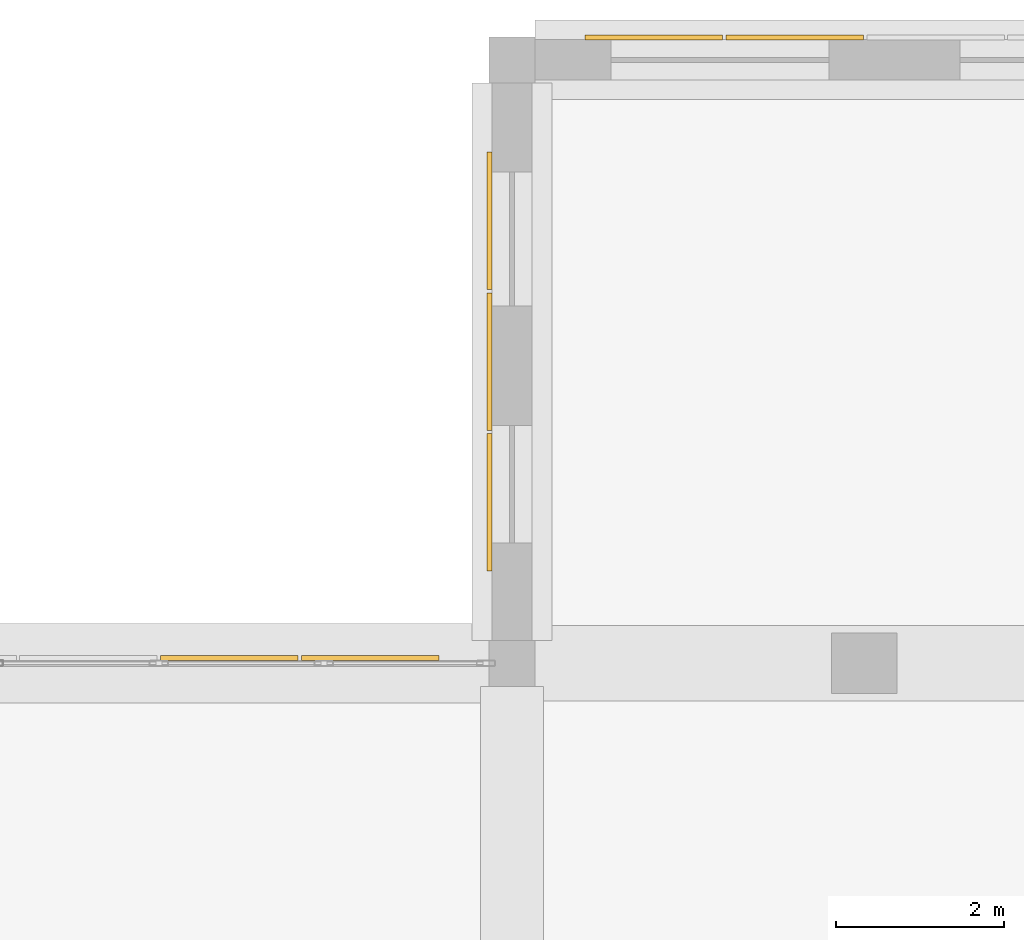
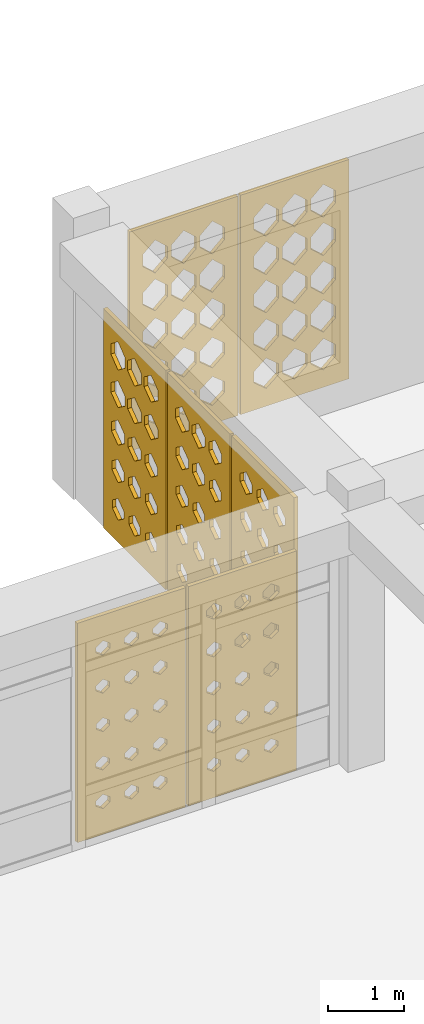
# One storey, part 109 of 121: 7 coverings.
"""IFC4 building model written with IfcOpenShell, lengths in metres."""

from ifc_helpers import new_model, si_unit, derived_unit, direction, frame, origin, place, context, subcontext, project, spatial, polyline, outline, extrude, material, layer, layer_set, type_object, element, save


model = new_model("IFC4")

# Units and contexts
model_context = context("Model", 3, precision=1e-05, world=origin(), true_north=direction((0.0, 1.0)))
body_context = subcontext(model_context, "Body", "Model", "MODEL_VIEW")
ifc_project = project(units=[si_unit("LENGTHUNIT", "METRE"), si_unit("AREAUNIT", "SQUARE_METRE"), si_unit("VOLUMEUNIT", "CUBIC_METRE"), si_unit("PLANEANGLEUNIT", "RADIAN"), si_unit("MASSUNIT", "GRAM", prefix="KILO"), derived_unit("THERMALTRANSMITTANCEUNIT", [(si_unit("POWERUNIT", "WATT"), 1), (si_unit("LENGTHUNIT", "METRE"), -2), (si_unit("THERMODYNAMICTEMPERATUREUNIT", "KELVIN"), -1)])], contexts=[model_context])

# Site, building, storey
site_placement = place(None, origin())
site = spatial("IfcSite", under=ifc_project, at=site_placement, CompositionType="ELEMENT")
building_placement = place(site_placement, origin())
building = spatial("IfcBuilding", under=site, at=building_placement, Name="Veybourne Emporium", CompositionType="ELEMENT")
storey_placement = place(building_placement, frame((0.0, 0.0, 5.39990234375)))
storey = spatial("IfcBuildingStorey", under=building, at=storey_placement, Name="L01", CompositionType="ELEMENT", Elevation=5.39990234375)

# Coverings
ifc_material = material(Name="Warm-White Perforated Aluminium Screen Alloy", Category="aluminium")
ifc_layer_1 = layer(ifc_material, 0.06005859375)
ifc_layer_set_1 = layer_set([ifc_layer_1], Name="Warm-White Perforated Aluminium Screen Alloy")
covering_type_1 = type_object("IfcCoveringType", Name="WaveScreen_SCR-01", PredefinedType="CLADDING", material=ifc_layer_set_1)
covering_1_placement = place(storey_placement, frame((48.70751953125, 108.093994140625, 1.815185546875), z_axis=(0.0, -1.0, 0.0), x_axis=(1.0, 0.0, 0.0)))
element("IfcCovering", 1, at=covering_1_placement, inside=storey, type_object=covering_type_1, Name="L01 wave-perforated aluminium screen SCR-01 (27C.4)", PredefinedType="CLADDING", context=body_context, shape_type="SweptSolid", body=[
    extrude(outline(polyline([(-0.81982421875, -1.7548828125), (0.81982421875, -1.7548828125), (0.81982421875, 1.7548828125), (-0.81982421875, 1.7548828125), (-0.81982421875, -1.7548828125)]), holes=[polyline([(-0.433349609375, -1.117919921875), (-0.333251953125, -1.1884765625), (-0.333251953125, -1.267578125), (-0.433349609375, -1.337890625), (-0.533447265625, -1.267578125), (-0.533447265625, -1.1884765625), (-0.433349609375, -1.117919921875)]), polyline([(-0.433349609375, -0.503173828125), (-0.33251953125, -0.57421875), (-0.33251953125, -0.65380859375), (-0.433349609375, -0.724853515625), (-0.533935546875, -0.65380859375), (-0.533935546875, -0.57421875), (-0.433349609375, -0.503173828125)]), polyline([(-0.433349609375, 0.114013671875), (-0.330078125, 0.041015625), (-0.330078125, -0.041015625), (-0.433349609375, -0.114013671875), (-0.53662109375, -0.041015625), (-0.53662109375, 0.041015625), (-0.433349609375, 0.114013671875)]), polyline([(-0.433349609375, 0.733642578125), (-0.325439453125, 0.656982421875), (-0.325439453125, 0.57080078125), (-0.433349609375, 0.494384765625), (-0.541259765625, 0.57080078125), (-0.541259765625, 0.656982421875), (-0.433349609375, 0.733642578125)]), polyline([(-0.433349609375, 1.355224609375), (-0.319091796875, 1.273681640625), (-0.319091796875, 1.18212890625), (-0.433349609375, 1.1005859375), (-0.547607421875, 1.18212890625), (-0.547607421875, 1.273681640625), (-0.433349609375, 1.355224609375)]), polyline([(0.0, -1.117919921875), (0.10009765625, -1.1884765625), (0.10009765625, -1.267578125), (0.0, -1.338134765625), (-0.10009765625, -1.267578125), (-0.10009765625, -1.1884765625), (0.0, -1.117919921875)]), polyline([(0.0, -0.501953125), (0.101806640625, -0.57373046875), (0.101806640625, -0.654296875), (0.0, -0.72607421875), (-0.101806640625, -0.654296875), (-0.101806640625, -0.57373046875), (0.0, -0.501953125)]), polyline([(0.0, 0.1162109375), (0.105224609375, 0.0419921875), (0.105224609375, -0.0419921875), (0.0, -0.1162109375), (-0.105224609375, -0.0419921875), (-0.105224609375, 0.0419921875), (0.0, 0.1162109375)]), polyline([(0.0, 0.73681640625), (0.110595703125, 0.658203125), (0.110595703125, 0.56982421875), (0.0, 0.4912109375), (-0.110595703125, 0.56982421875), (-0.110595703125, 0.658203125), (0.0, 0.73681640625)]), polyline([(0.0, 1.359619140625), (0.11767578125, 1.275390625), (0.11767578125, 1.1806640625), (0.0, 1.096435546875), (-0.11767578125, 1.1806640625), (-0.11767578125, 1.275390625), (0.0, 1.359619140625)]), polyline([(0.433349609375, -1.1171875), (0.533935546875, -1.188232421875), (0.533935546875, -1.267822265625), (0.433349609375, -1.338623046875), (0.332763671875, -1.267822265625), (0.332763671875, -1.188232421875), (0.433349609375, -1.1171875)]), polyline([(0.433349609375, -0.500244140625), (0.536376953125, -0.572998046875), (0.536376953125, -0.65478515625), (0.433349609375, -0.727783203125), (0.330322265625, -0.65478515625), (0.330322265625, -0.572998046875), (0.433349609375, -0.500244140625)]), polyline([(0.433349609375, 0.118896484375), (0.540771484375, 0.042724609375), (0.540771484375, -0.042724609375), (0.433349609375, -0.118896484375), (0.325927734375, -0.042724609375), (0.325927734375, 0.042724609375), (0.433349609375, 0.118896484375)]), polyline([(0.433349609375, 0.740478515625), (0.546875, 0.659423828125), (0.546875, 0.568603515625), (0.433349609375, 0.487548828125), (0.31982421875, 0.568603515625), (0.31982421875, 0.659423828125), (0.433349609375, 0.740478515625)]), polyline([(0.433349609375, 1.364013671875), (0.5546875, 1.27685546875), (0.5546875, 1.17919921875), (0.433349609375, 1.092041015625), (0.31201171875, 1.17919921875), (0.31201171875, 1.27685546875), (0.433349609375, 1.364013671875)])]), origin(), (0.0, 0.0, 1.0), 0.06005859375),
])
covering_2_placement = place(storey_placement, frame((50.10205078125, 113.280029296875, 1.815185546875), z_axis=(1.0, 0.0, 0.0), x_axis=(0.0, 1.0, 0.0)))
element("IfcCovering", 2, at=covering_2_placement, inside=storey, type_object=covering_type_1, Name="L01 wave-perforated aluminium screen SCR-01 (32.3)", PredefinedType="CLADDING", context=body_context, shape_type="SweptSolid", body=[
    extrude(outline(polyline([(-0.81982421875, -1.7548828125), (0.81982421875, -1.7548828125), (0.81982421875, 1.7548828125), (-0.81982421875, 1.7548828125), (-0.81982421875, -1.7548828125)]), holes=[polyline([(-0.433349609375, -1.06787109375), (-0.292236328125, -1.17041015625), (-0.292236328125, -1.28564453125), (-0.433349609375, -1.38818359375), (-0.57421875, -1.28564453125), (-0.57421875, -1.17041015625), (-0.433349609375, -1.06787109375)]), polyline([(-0.433349609375, -0.4404296875), (-0.28125, -0.551513671875), (-0.28125, -0.676513671875), (-0.433349609375, -0.78759765625), (-0.585205078125, -0.676513671875), (-0.585205078125, -0.551513671875), (-0.433349609375, -0.4404296875)]), polyline([(-0.433349609375, 0.1875), (-0.27001953125, 0.0673828125), (-0.27001953125, -0.0673828125), (-0.433349609375, -0.1875), (-0.5966796875, -0.0673828125), (-0.5966796875, 0.0673828125), (-0.433349609375, 0.1875)]), polyline([(-0.433349609375, 0.815673828125), (-0.25830078125, 0.6865234375), (-0.25830078125, 0.54150390625), (-0.433349609375, 0.412353515625), (-0.6083984375, 0.54150390625), (-0.6083984375, 0.6865234375), (-0.433349609375, 0.815673828125)]), polyline([(-0.433349609375, 1.443603515625), (-0.2470703125, 1.3056640625), (-0.2470703125, 1.150390625), (-0.433349609375, 1.012451171875), (-0.61962890625, 1.150390625), (-0.61962890625, 1.3056640625), (-0.433349609375, 1.443603515625)]), polyline([(0.0, -1.06201171875), (0.14599609375, -1.168212890625), (0.14599609375, -1.287841796875), (0.0, -1.39404296875), (-0.14599609375, -1.287841796875), (-0.14599609375, -1.168212890625), (0.0, -1.06201171875)]), polyline([(0.0, -0.43408203125), (0.1572265625, -0.54931640625), (0.1572265625, -0.6787109375), (0.0, -0.7939453125), (-0.1572265625, -0.6787109375), (-0.1572265625, -0.54931640625), (0.0, -0.43408203125)]), polyline([(0.0, 0.194091796875), (0.168701171875, 0.06982421875), (0.168701171875, -0.06982421875), (0.0, -0.194091796875), (-0.168701171875, -0.06982421875), (-0.168701171875, 0.06982421875), (0.0, 0.194091796875)]), polyline([(0.0, 0.822021484375), (0.180419921875, 0.68896484375), (0.180419921875, 0.5390625), (0.0, 0.406005859375), (-0.180419921875, 0.5390625), (-0.180419921875, 0.68896484375), (0.0, 0.822021484375)]), polyline([(0.0, 1.44970703125), (0.186279296875, 1.307861328125), (0.186279296875, 1.148193359375), (0.0, 1.00634765625), (-0.186279296875, 1.148193359375), (-0.186279296875, 1.307861328125), (0.0, 1.44970703125)]), polyline([(0.433349609375, -1.0556640625), (0.584228515625, -1.166015625), (0.584228515625, -1.2900390625), (0.433349609375, -1.400390625), (0.282470703125, -1.2900390625), (0.282470703125, -1.166015625), (0.433349609375, -1.0556640625)]), polyline([(0.433349609375, -0.427734375), (0.595703125, -0.546875), (0.595703125, -0.68115234375), (0.433349609375, -0.80029296875), (0.27099609375, -0.68115234375), (0.27099609375, -0.546875), (0.433349609375, -0.427734375)]), polyline([(0.433349609375, 0.200439453125), (0.607421875, 0.072265625), (0.607421875, -0.072265625), (0.433349609375, -0.200439453125), (0.25927734375, -0.072265625), (0.25927734375, 0.072265625), (0.433349609375, 0.200439453125)]), polyline([(0.433349609375, 0.828369140625), (0.61865234375, 0.691162109375), (0.61865234375, 0.536865234375), (0.433349609375, 0.399658203125), (0.247802734375, 0.536865234375), (0.247802734375, 0.691162109375), (0.433349609375, 0.828369140625)]), polyline([(0.433349609375, 1.455810546875), (0.61962890625, 1.31005859375), (0.61962890625, 1.14599609375), (0.433349609375, 1.000244140625), (0.2470703125, 1.14599609375), (0.2470703125, 1.31005859375), (0.433349609375, 1.455810546875)])]), origin(), (0.0, 0.0, 1.0), 0.06005859375),
])
ifc_layer_2 = layer(ifc_material, 0.06005859375)
ifc_layer_set_2 = layer_set([ifc_layer_2], Name="Warm-White Perforated Aluminium Screen Alloy")
covering_type_2 = type_object("IfcCoveringType", Name="WaveScreen_SCR-02", PredefinedType="CLADDING", material=ifc_layer_set_2)
covering_3_placement = place(storey_placement, frame((52.092529296875, 115.498046875, 1.815185546875), z_axis=(0.0, -1.0, 0.0), x_axis=(1.0, 0.0, 0.0)))
element("IfcCovering", 3, at=covering_3_placement, inside=storey, type_object=covering_type_2, Name="L01 wave-perforated aluminium screen SCR-02 (31.1)", PredefinedType="CLADDING", context=body_context, shape_type="SweptSolid", body=[
    extrude(outline(polyline([(-0.81982421875, -1.7548828125), (0.81982421875, -1.7548828125), (0.81982421875, 1.7548828125), (-0.81982421875, 1.7548828125), (-0.81982421875, -1.7548828125)]), holes=[polyline([(-0.433349609375, -1.0078125), (-0.2470703125, -1.148681640625), (-0.2470703125, -1.307373046875), (-0.433349609375, -1.4482421875), (-0.61962890625, -1.307373046875), (-0.61962890625, -1.148681640625), (-0.433349609375, -1.0078125)]), polyline([(-0.433349609375, -0.380859375), (-0.2470703125, -0.530029296875), (-0.2470703125, -0.697998046875), (-0.433349609375, -0.84716796875), (-0.61962890625, -0.697998046875), (-0.61962890625, -0.530029296875), (-0.433349609375, -0.380859375)]), polyline([(-0.433349609375, 0.244873046875), (-0.2470703125, 0.088134765625), (-0.2470703125, -0.088134765625), (-0.433349609375, -0.244873046875), (-0.61962890625, -0.088134765625), (-0.61962890625, 0.088134765625), (-0.433349609375, 0.244873046875)]), polyline([(-0.433349609375, 0.868896484375), (-0.2470703125, 0.705810546875), (-0.2470703125, 0.522216796875), (-0.433349609375, 0.35888671875), (-0.61962890625, 0.522216796875), (-0.61962890625, 0.705810546875), (-0.433349609375, 0.868896484375)]), polyline([(-0.433349609375, 1.4912109375), (-0.2470703125, 1.32275390625), (-0.2470703125, 1.13330078125), (-0.433349609375, 0.964599609375), (-0.61962890625, 1.13330078125), (-0.61962890625, 1.32275390625), (-0.433349609375, 1.4912109375)]), polyline([(0.0, -1.001708984375), (0.186279296875, -1.146484375), (0.186279296875, -1.309326171875), (0.0, -1.4541015625), (-0.186279296875, -1.309326171875), (-0.186279296875, -1.146484375), (0.0, -1.001708984375)]), polyline([(0.0, -0.37548828125), (0.186279296875, -0.528076171875), (0.186279296875, -0.699951171875), (0.0, -0.8525390625), (-0.186279296875, -0.699951171875), (-0.186279296875, -0.528076171875), (0.0, -0.37548828125)]), polyline([(0.0, 0.24951171875), (0.186279296875, 0.08984375), (0.186279296875, -0.08984375), (0.0, -0.24951171875), (-0.186279296875, -0.08984375), (-0.186279296875, 0.08984375), (0.0, 0.24951171875)]), polyline([(0.0, 0.873046875), (0.186279296875, 0.707275390625), (0.186279296875, 0.520751953125), (0.0, 0.35498046875), (-0.186279296875, 0.520751953125), (-0.186279296875, 0.707275390625), (0.0, 0.873046875)]), polyline([(0.0, 1.491943359375), (0.186279296875, 1.322998046875), (0.186279296875, 1.133056640625), (0.0, 0.964111328125), (-0.186279296875, 1.133056640625), (-0.186279296875, 1.322998046875), (0.0, 1.491943359375)]), polyline([(0.433349609375, -0.99609375), (0.61962890625, -1.14453125), (0.61962890625, -1.3115234375), (0.433349609375, -1.4599609375), (0.2470703125, -1.3115234375), (0.2470703125, -1.14453125), (0.433349609375, -0.99609375)]), polyline([(0.433349609375, -0.3701171875), (0.61962890625, -0.526123046875), (0.61962890625, -0.701904296875), (0.433349609375, -0.85791015625), (0.2470703125, -0.701904296875), (0.2470703125, -0.526123046875), (0.433349609375, -0.3701171875)]), polyline([(0.433349609375, 0.254150390625), (0.61962890625, 0.091552734375), (0.61962890625, -0.091552734375), (0.433349609375, -0.254150390625), (0.2470703125, -0.091552734375), (0.2470703125, 0.091552734375), (0.433349609375, 0.254150390625)]), polyline([(0.433349609375, 0.876708984375), (0.61962890625, 0.70849609375), (0.61962890625, 0.51953125), (0.433349609375, 0.351318359375), (0.2470703125, 0.51953125), (0.2470703125, 0.70849609375), (0.433349609375, 0.876708984375)]), polyline([(0.433349609375, 1.491943359375), (0.61962890625, 1.322998046875), (0.61962890625, 1.133056640625), (0.433349609375, 0.964111328125), (0.2470703125, 1.133056640625), (0.2470703125, 1.322998046875), (0.433349609375, 1.491943359375)])]), origin(), (0.0, 0.0, 1.0), 0.06005859375),
])
ifc_layer_3 = layer(ifc_material, 0.06005859375)
ifc_layer_set_3 = layer_set([ifc_layer_3], Name="Warm-White Perforated Aluminium Screen Alloy")
covering_type_3 = type_object("IfcCoveringType", Name="WaveScreen_SCR-03", PredefinedType="CLADDING", material=ifc_layer_set_3)
covering_4_placement = place(storey_placement, frame((53.7724609375, 115.498046875, 1.815185546875), z_axis=(0.0, -1.0, 0.0), x_axis=(1.0, 0.0, 0.0)))
element("IfcCovering", 4, at=covering_4_placement, inside=storey, type_object=covering_type_3, Name="L01 wave-perforated aluminium screen SCR-03 (31.2)", PredefinedType="CLADDING", context=body_context, shape_type="SweptSolid", body=[
    extrude(outline(polyline([(-0.81982421875, -1.7548828125), (0.81982421875, -1.7548828125), (0.81982421875, 1.7548828125), (-0.81982421875, 1.7548828125), (-0.81982421875, -1.7548828125)]), holes=[polyline([(-0.433349609375, -0.98583984375), (-0.2470703125, -1.140869140625), (-0.2470703125, -1.315185546875), (-0.433349609375, -1.47021484375), (-0.61962890625, -1.315185546875), (-0.61962890625, -1.140869140625), (-0.433349609375, -0.98583984375)]), polyline([(-0.433349609375, -0.361328125), (-0.2470703125, -0.52294921875), (-0.2470703125, -0.705078125), (-0.433349609375, -0.86669921875), (-0.61962890625, -0.705078125), (-0.61962890625, -0.52294921875), (-0.433349609375, -0.361328125)]), polyline([(-0.433349609375, 0.261474609375), (-0.2470703125, 0.093994140625), (-0.2470703125, -0.093994140625), (-0.433349609375, -0.261474609375), (-0.61962890625, -0.093994140625), (-0.61962890625, 0.093994140625), (-0.433349609375, 0.261474609375)]), polyline([(-0.433349609375, 0.8779296875), (-0.2470703125, 0.708984375), (-0.2470703125, 0.51904296875), (-0.433349609375, 0.35009765625), (-0.61962890625, 0.51904296875), (-0.61962890625, 0.708984375), (-0.433349609375, 0.8779296875)]), polyline([(-0.433349609375, 1.491943359375), (-0.2470703125, 1.322998046875), (-0.2470703125, 1.133056640625), (-0.433349609375, 0.964111328125), (-0.61962890625, 1.133056640625), (-0.61962890625, 1.322998046875), (-0.433349609375, 1.491943359375)]), polyline([(0.0, -0.98095703125), (0.186279296875, -1.138916015625), (0.186279296875, -1.31689453125), (0.0, -1.47509765625), (-0.186279296875, -1.31689453125), (-0.186279296875, -1.138916015625), (0.0, -0.98095703125)]), polyline([(0.0, -0.357177734375), (0.186279296875, -0.521484375), (0.186279296875, -0.70654296875), (0.0, -0.870849609375), (-0.186279296875, -0.70654296875), (-0.186279296875, -0.521484375), (0.0, -0.357177734375)]), polyline([(0.0, 0.263916015625), (0.186279296875, 0.094970703125), (0.186279296875, -0.094970703125), (0.0, -0.263916015625), (-0.186279296875, -0.094970703125), (-0.186279296875, 0.094970703125), (0.0, 0.263916015625)]), polyline([(0.0, 0.8779296875), (0.186279296875, 0.708984375), (0.186279296875, 0.51904296875), (0.0, 0.35009765625), (-0.186279296875, 0.51904296875), (-0.186279296875, 0.708984375), (0.0, 0.8779296875)]), polyline([(0.0, 1.491943359375), (0.186279296875, 1.322998046875), (0.186279296875, 1.133056640625), (0.0, 0.964111328125), (-0.186279296875, 1.133056640625), (-0.186279296875, 1.322998046875), (0.0, 1.491943359375)]), polyline([(0.433349609375, -0.976318359375), (0.61962890625, -1.137451171875), (0.61962890625, -1.318603515625), (0.433349609375, -1.479736328125), (0.2470703125, -1.318603515625), (0.2470703125, -1.137451171875), (0.433349609375, -0.976318359375)]), polyline([(0.433349609375, -0.353271484375), (0.61962890625, -0.52001953125), (0.61962890625, -0.7080078125), (0.433349609375, -0.874755859375), (0.2470703125, -0.7080078125), (0.2470703125, -0.52001953125), (0.433349609375, -0.353271484375)]), polyline([(0.433349609375, 0.263916015625), (0.61962890625, 0.094970703125), (0.61962890625, -0.094970703125), (0.433349609375, -0.263916015625), (0.2470703125, -0.094970703125), (0.2470703125, 0.094970703125), (0.433349609375, 0.263916015625)]), polyline([(0.433349609375, 0.8779296875), (0.61962890625, 0.708984375), (0.61962890625, 0.51904296875), (0.433349609375, 0.35009765625), (0.2470703125, 0.51904296875), (0.2470703125, 0.708984375), (0.433349609375, 0.8779296875)]), polyline([(0.433349609375, 1.491943359375), (0.61962890625, 1.322998046875), (0.61962890625, 1.133056640625), (0.433349609375, 0.964111328125), (0.2470703125, 1.133056640625), (0.2470703125, 1.322998046875), (0.433349609375, 1.491943359375)])]), origin(), (0.0, 0.0, 1.0), 0.06005859375),
])
covering_5_placement = place(storey_placement, frame((50.10205078125, 109.919921875, 1.815185546875), z_axis=(1.0, 0.0, 0.0), x_axis=(0.0, 1.0, 0.0)))
element("IfcCovering", 5, at=covering_5_placement, inside=storey, type_object=covering_type_3, Name="L01 wave-perforated aluminium screen SCR-03 (32.1)", PredefinedType="CLADDING", context=body_context, shape_type="SweptSolid", body=[
    extrude(outline(polyline([(-0.81982421875, -1.7548828125), (0.81982421875, -1.7548828125), (0.81982421875, 1.7548828125), (-0.81982421875, 1.7548828125), (-0.81982421875, -1.7548828125)]), holes=[polyline([(-0.433349609375, -1.105224609375), (-0.322998046875, -1.183837890625), (-0.322998046875, -1.272216796875), (-0.433349609375, -1.3505859375), (-0.543701171875, -1.272216796875), (-0.543701171875, -1.183837890625), (-0.433349609375, -1.105224609375)]), polyline([(-0.433349609375, -0.482666015625), (-0.31591796875, -0.566650390625), (-0.31591796875, -0.661376953125), (-0.433349609375, -0.745361328125), (-0.55078125, -0.661376953125), (-0.55078125, -0.566650390625), (-0.433349609375, -0.482666015625)]), polyline([(-0.433349609375, 0.1416015625), (-0.3076171875, 0.051025390625), (-0.3076171875, -0.051025390625), (-0.433349609375, -0.1416015625), (-0.55908203125, -0.051025390625), (-0.55908203125, 0.051025390625), (-0.433349609375, 0.1416015625)]), polyline([(-0.433349609375, 0.767578125), (-0.297607421875, 0.669189453125), (-0.297607421875, 0.55859375), (-0.433349609375, 0.46044921875), (-0.56884765625, 0.55859375), (-0.56884765625, 0.669189453125), (-0.433349609375, 0.767578125)]), polyline([(-0.433349609375, 1.39453125), (-0.287109375, 1.287841796875), (-0.287109375, 1.168212890625), (-0.433349609375, 1.0615234375), (-0.57958984375, 1.168212890625), (-0.57958984375, 1.287841796875), (-0.433349609375, 1.39453125)]), polyline([(0.0, -1.1015625), (0.11328125, -1.1826171875), (0.11328125, -1.2734375), (0.0, -1.3544921875), (-0.11328125, -1.2734375), (-0.11328125, -1.1826171875), (0.0, -1.1015625)]), polyline([(0.0, -0.478271484375), (0.12109375, -0.565185546875), (0.12109375, -0.662841796875), (0.0, -0.749755859375), (-0.12109375, -0.662841796875), (-0.12109375, -0.565185546875), (0.0, -0.478271484375)]), polyline([(0.0, 0.146728515625), (0.130126953125, 0.052978515625), (0.130126953125, -0.052978515625), (0.0, -0.146728515625), (-0.130126953125, -0.052978515625), (-0.130126953125, 0.052978515625), (0.0, 0.146728515625)]), polyline([(0.0, 0.773193359375), (0.140380859375, 0.67138671875), (0.140380859375, 0.556640625), (0.0, 0.45458984375), (-0.140380859375, 0.556640625), (-0.140380859375, 0.67138671875), (0.0, 0.773193359375)]), polyline([(0.0, 1.400634765625), (0.1513671875, 1.290283203125), (0.1513671875, 1.165771484375), (0.0, 1.055419921875), (-0.1513671875, 1.165771484375), (-0.1513671875, 1.290283203125), (0.0, 1.400634765625)]), polyline([(0.433349609375, -1.09765625), (0.550048828125, -1.18115234375), (0.550048828125, -1.27490234375), (0.433349609375, -1.3583984375), (0.316650390625, -1.27490234375), (0.316650390625, -1.18115234375), (0.433349609375, -1.09765625)]), polyline([(0.433349609375, -0.473388671875), (0.558349609375, -0.5634765625), (0.558349609375, -0.66455078125), (0.433349609375, -0.754638671875), (0.308349609375, -0.66455078125), (0.308349609375, -0.5634765625), (0.433349609375, -0.473388671875)]), polyline([(0.433349609375, 0.15234375), (0.568115234375, 0.0546875), (0.568115234375, -0.0546875), (0.433349609375, -0.15234375), (0.298583984375, -0.0546875), (0.298583984375, 0.0546875), (0.433349609375, 0.15234375)]), polyline([(0.433349609375, 0.779296875), (0.57861328125, 0.673583984375), (0.57861328125, 0.554443359375), (0.433349609375, 0.44873046875), (0.2880859375, 0.554443359375), (0.2880859375, 0.673583984375), (0.433349609375, 0.779296875)]), polyline([(0.433349609375, 1.406982421875), (0.58984375, 1.29248046875), (0.58984375, 1.16357421875), (0.433349609375, 1.049072265625), (0.27685546875, 1.16357421875), (0.27685546875, 1.29248046875), (0.433349609375, 1.406982421875)])]), origin(), (0.0, 0.0, 1.0), 0.06005859375),
])
ifc_layer_4 = layer(ifc_material, 0.06005859375)
ifc_layer_set_4 = layer_set([ifc_layer_4], Name="Warm-White Perforated Aluminium Screen Alloy")
covering_type_4 = type_object("IfcCoveringType", Name="WaveScreen_SCR-04", PredefinedType="CLADDING", material=ifc_layer_set_4)
covering_6_placement = place(storey_placement, frame((47.027587890625, 108.093994140625, 1.815185546875), z_axis=(0.0, -1.0, 0.0), x_axis=(1.0, 0.0, 0.0)))
element("IfcCovering", 6, at=covering_6_placement, inside=storey, type_object=covering_type_4, Name="L01 wave-perforated aluminium screen SCR-04 (27C.3)", PredefinedType="CLADDING", context=body_context, shape_type="SweptSolid", body=[
    extrude(outline(polyline([(-0.81982421875, -1.7548828125), (0.81982421875, -1.7548828125), (0.81982421875, 1.7548828125), (-0.81982421875, 1.7548828125), (-0.81982421875, -1.7548828125)]), holes=[polyline([(-0.433349609375, -1.113525390625), (-0.32958984375, -1.186767578125), (-0.32958984375, -1.269287109375), (-0.433349609375, -1.342529296875), (-0.537109375, -1.269287109375), (-0.537109375, -1.186767578125), (-0.433349609375, -1.113525390625)]), polyline([(-0.433349609375, -0.5029296875), (-0.33251953125, -0.573974609375), (-0.33251953125, -0.654052734375), (-0.433349609375, -0.72509765625), (-0.5341796875, -0.654052734375), (-0.5341796875, -0.573974609375), (-0.433349609375, -0.5029296875)]), polyline([(-0.433349609375, 0.110107421875), (-0.333251953125, 0.03955078125), (-0.333251953125, -0.03955078125), (-0.433349609375, -0.110107421875), (-0.533203125, -0.03955078125), (-0.533203125, 0.03955078125), (-0.433349609375, 0.110107421875)]), polyline([(-0.433349609375, 0.725341796875), (-0.332275390625, 0.654052734375), (-0.332275390625, 0.573974609375), (-0.433349609375, 0.502685546875), (-0.534423828125, 0.573974609375), (-0.534423828125, 0.654052734375), (-0.433349609375, 0.725341796875)]), polyline([(-0.433349609375, 1.34326171875), (-0.3291015625, 1.26953125), (-0.3291015625, 1.1865234375), (-0.433349609375, 1.11279296875), (-0.53759765625, 1.1865234375), (-0.53759765625, 1.26953125), (-0.433349609375, 1.34326171875)]), polyline([(0.0, -1.115478515625), (0.10205078125, -1.1875), (0.10205078125, -1.2685546875), (0.0, -1.340576171875), (-0.10205078125, -1.2685546875), (-0.10205078125, -1.1875), (0.0, -1.115478515625)]), polyline([(0.0, -0.503662109375), (0.10009765625, -0.57421875), (0.10009765625, -0.65380859375), (0.0, -0.724365234375), (-0.10009765625, -0.65380859375), (-0.10009765625, -0.57421875), (0.0, -0.503662109375)]), polyline([(0.0, 0.1103515625), (0.100341796875, 0.039794921875), (0.100341796875, -0.039794921875), (0.0, -0.1103515625), (-0.100341796875, -0.039794921875), (-0.100341796875, 0.039794921875), (0.0, 0.1103515625)]), polyline([(0.0, 0.726806640625), (0.102294921875, 0.654541015625), (0.102294921875, 0.573486328125), (0.0, 0.501220703125), (-0.102294921875, 0.573486328125), (-0.102294921875, 0.654541015625), (0.0, 0.726806640625)]), polyline([(0.0, 1.345703125), (0.106201171875, 1.2705078125), (0.106201171875, 1.185546875), (0.0, 1.1103515625), (-0.106201171875, 1.185546875), (-0.106201171875, 1.2705078125), (0.0, 1.345703125)]), polyline([(0.433349609375, -1.11669921875), (0.534423828125, -1.18798828125), (0.534423828125, -1.26806640625), (0.433349609375, -1.33935546875), (0.332275390625, -1.26806640625), (0.332275390625, -1.18798828125), (0.433349609375, -1.11669921875)]), polyline([(0.433349609375, -0.50390625), (0.533203125, -0.574462890625), (0.533203125, -0.653564453125), (0.433349609375, -0.72412109375), (0.333251953125, -0.653564453125), (0.333251953125, -0.574462890625), (0.433349609375, -0.50390625)]), polyline([(0.433349609375, 0.111083984375), (0.5341796875, 0.0400390625), (0.5341796875, -0.0400390625), (0.433349609375, -0.111083984375), (0.33251953125, -0.0400390625), (0.33251953125, 0.0400390625), (0.433349609375, 0.111083984375)]), polyline([(0.433349609375, 0.728759765625), (0.537109375, 0.6552734375), (0.537109375, 0.57275390625), (0.433349609375, 0.499267578125), (0.329345703125, 0.57275390625), (0.329345703125, 0.6552734375), (0.433349609375, 0.728759765625)]), polyline([(0.433349609375, 1.3486328125), (0.5419921875, 1.271484375), (0.5419921875, 1.1845703125), (0.433349609375, 1.107421875), (0.32470703125, 1.1845703125), (0.32470703125, 1.271484375), (0.433349609375, 1.3486328125)])]), origin(), (0.0, 0.0, 1.0), 0.06005859375),
])
covering_7_placement = place(storey_placement, frame((50.10205078125, 111.60009765625, 1.815185546875), z_axis=(1.0, 0.0, 0.0), x_axis=(0.0, 1.0, 0.0)))
element("IfcCovering", 7, at=covering_7_placement, inside=storey, type_object=covering_type_4, Name="L01 wave-perforated aluminium screen SCR-04 (32.2)", PredefinedType="CLADDING", context=body_context, shape_type="SweptSolid", body=[
    extrude(outline(polyline([(-0.81982421875, -1.7548828125), (0.81982421875, -1.7548828125), (0.81982421875, 1.7548828125), (-0.81982421875, 1.7548828125), (-0.81982421875, -1.7548828125)]), holes=[polyline([(-0.433349609375, -1.089111328125), (-0.3095703125, -1.177978515625), (-0.3095703125, -1.278076171875), (-0.433349609375, -1.366943359375), (-0.556884765625, -1.278076171875), (-0.556884765625, -1.177978515625), (-0.433349609375, -1.089111328125)]), polyline([(-0.433349609375, -0.46337890625), (-0.30029296875, -0.559814453125), (-0.30029296875, -0.668212890625), (-0.433349609375, -0.764404296875), (-0.56640625, -0.668212890625), (-0.56640625, -0.559814453125), (-0.433349609375, -0.46337890625)]), polyline([(-0.433349609375, 0.163330078125), (-0.289794921875, 0.058837890625), (-0.289794921875, -0.058837890625), (-0.433349609375, -0.163330078125), (-0.576904296875, -0.058837890625), (-0.576904296875, 0.058837890625), (-0.433349609375, 0.163330078125)]), polyline([(-0.433349609375, 0.791015625), (-0.278564453125, 0.677734375), (-0.278564453125, 0.55029296875), (-0.433349609375, 0.43701171875), (-0.588134765625, 0.55029296875), (-0.588134765625, 0.677734375), (-0.433349609375, 0.791015625)]), polyline([(-0.433349609375, 1.4189453125), (-0.26708984375, 1.296875), (-0.26708984375, 1.1591796875), (-0.433349609375, 1.037109375), (-0.599609375, 1.1591796875), (-0.599609375, 1.296875), (-0.433349609375, 1.4189453125)]), polyline([(0.0, -1.083984375), (0.1279296875, -1.176025390625), (0.1279296875, -1.27978515625), (0.0, -1.3720703125), (-0.1279296875, -1.27978515625), (-0.1279296875, -1.176025390625), (0.0, -1.083984375)]), polyline([(0.0, -0.457763671875), (0.1376953125, -0.557861328125), (0.1376953125, -0.670166015625), (0.0, -0.770263671875), (-0.1376953125, -0.670166015625), (-0.1376953125, -0.557861328125), (0.0, -0.457763671875)]), polyline([(0.0, 0.16943359375), (0.148681640625, 0.06103515625), (0.148681640625, -0.06103515625), (0.0, -0.16943359375), (-0.148681640625, -0.06103515625), (-0.148681640625, 0.06103515625), (0.0, 0.16943359375)]), polyline([(0.0, 0.79736328125), (0.159912109375, 0.679931640625), (0.159912109375, 0.548095703125), (0.0, 0.4306640625), (-0.159912109375, 0.548095703125), (-0.159912109375, 0.679931640625), (0.0, 0.79736328125)]), polyline([(0.0, 1.42529296875), (0.17138671875, 1.299072265625), (0.17138671875, 1.156982421875), (0.0, 1.030517578125), (-0.17138671875, 1.156982421875), (-0.17138671875, 1.299072265625), (0.0, 1.42529296875)]), polyline([(0.433349609375, -1.07861328125), (0.565673828125, -1.17431640625), (0.565673828125, -1.28173828125), (0.433349609375, -1.37744140625), (0.301025390625, -1.28173828125), (0.301025390625, -1.17431640625), (0.433349609375, -1.07861328125)]), polyline([(0.433349609375, -0.451904296875), (0.575927734375, -0.5556640625), (0.575927734375, -0.67236328125), (0.433349609375, -0.776123046875), (0.290771484375, -0.67236328125), (0.290771484375, -0.5556640625), (0.433349609375, -0.451904296875)]), polyline([(0.433349609375, 0.175537109375), (0.5869140625, 0.063232421875), (0.5869140625, -0.063232421875), (0.433349609375, -0.175537109375), (0.279541015625, -0.063232421875), (0.279541015625, 0.063232421875), (0.433349609375, 0.175537109375)]), polyline([(0.433349609375, 0.8037109375), (0.598388671875, 0.682373046875), (0.598388671875, 0.545654296875), (0.433349609375, 0.42431640625), (0.26806640625, 0.545654296875), (0.26806640625, 0.682373046875), (0.433349609375, 0.8037109375)]), polyline([(0.433349609375, 1.431884765625), (0.610107421875, 1.301513671875), (0.610107421875, 1.154541015625), (0.433349609375, 1.024169921875), (0.256591796875, 1.154541015625), (0.256591796875, 1.301513671875), (0.433349609375, 1.431884765625)])]), origin(), (0.0, 0.0, 1.0), 0.06005859375),
])

save(model, "model.ifc")
